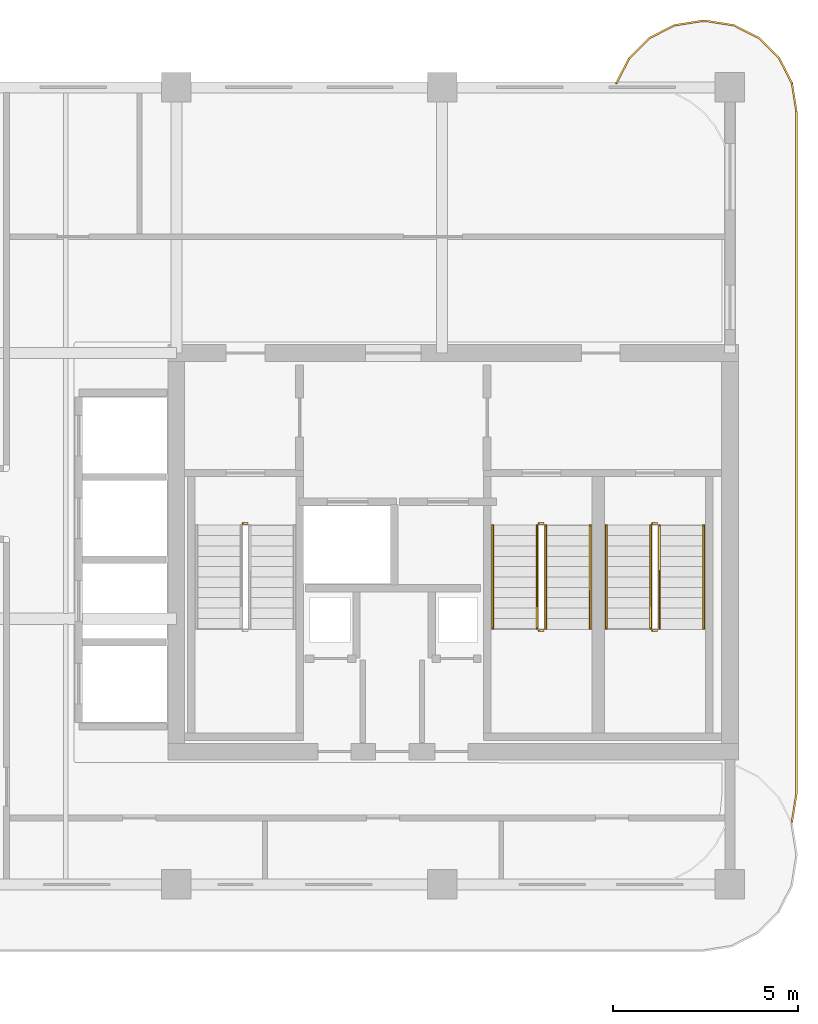
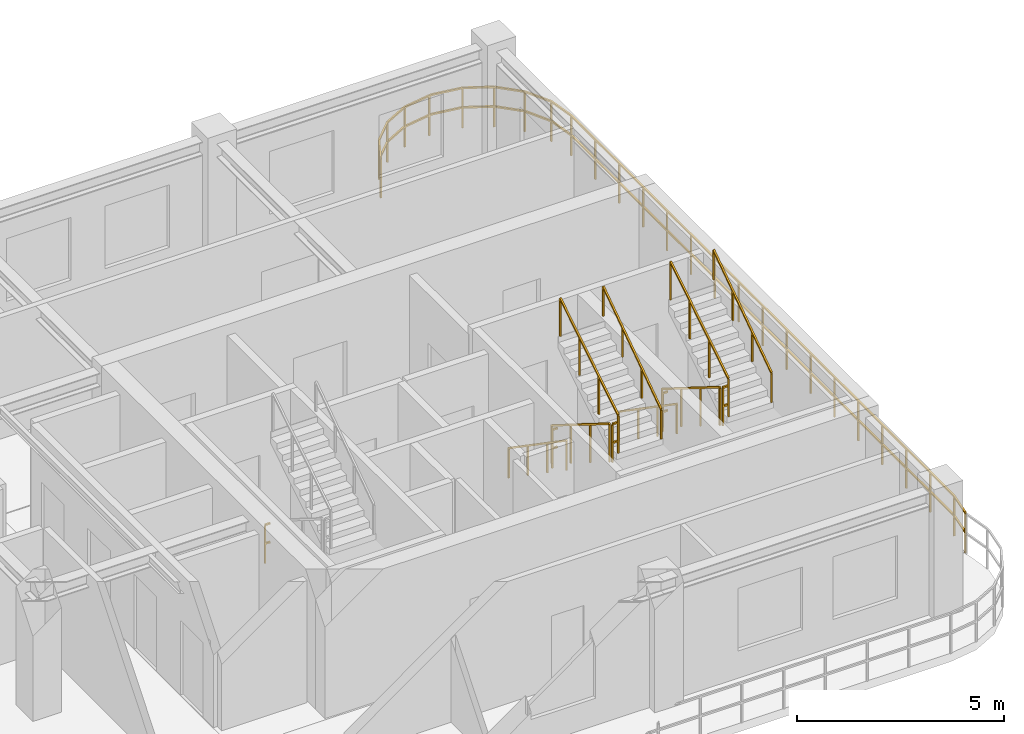
# One storey, part 7 of 7: 14 railings.
"""IFC4 building model written with IfcOpenShell, lengths in metres."""

from ifc_helpers import new_model, si_unit, derived_unit, direction, frame, origin, origin_2d, place, context, subcontext, project, spatial, rectangle, extrude, material, type_object, element, save


model = new_model("IFC4")

# Units and contexts
model_context = context("Model", 3, precision=1e-05, world=origin(), true_north=direction((0.0, 1.0)))
body_context = subcontext(model_context, "Body", "Model", "MODEL_VIEW")
ifc_project = project(units=[si_unit("LENGTHUNIT", "METRE"), si_unit("AREAUNIT", "SQUARE_METRE"), si_unit("VOLUMEUNIT", "CUBIC_METRE"), si_unit("PLANEANGLEUNIT", "RADIAN"), si_unit("MASSUNIT", "GRAM", prefix="KILO"), si_unit("THERMODYNAMICTEMPERATUREUNIT", "KELVIN"), si_unit("POWERUNIT", "WATT"), derived_unit("THERMALTRANSMITTANCEUNIT", [(si_unit("POWERUNIT", "WATT"), 1), (si_unit("AREAUNIT", "SQUARE_METRE"), -1), (si_unit("THERMODYNAMICTEMPERATUREUNIT", "KELVIN"), -1)])], contexts=[model_context])

# Site, building, storey
site_placement = place(None, origin())
site = spatial("IfcSite", under=ifc_project, at=site_placement, CompositionType="ELEMENT")
building_placement = place(site_placement, origin())
building = spatial("IfcBuilding", under=site, at=building_placement, Name="Zahravan Archway Hotel and Residences", CompositionType="ELEMENT")
storey_placement = place(building_placement, frame((0.0, 0.0, 267.35009765625)))
storey = spatial("IfcBuildingStorey", under=building, at=storey_placement, Name="L67", CompositionType="ELEMENT", Elevation=267.35009765625)

# Railings
ifc_material_1 = material(Name="Bronze & Laminated Glass Balustrade", Category="glass")
railing_type_1 = type_object("IfcRailingType", Name="RL-BAL-1200", PredefinedType="BALUSTRADE", material=ifc_material_1)
railing_1_placement = place(storey_placement, frame((46.719970703125, 21.70703125, 0.0)))
element("IfcRailing", 1, at=railing_1_placement, inside=storey, type_object=railing_type_1, Name="L67 Balustrade RL-SLB-BAL-L67-EA-1", PredefinedType="BALUSTRADE", context=body_context, shape_type="SweptSolid", body=[
    extrude(rectangle(XDim=0.048095703125, YDim=0.048095703125, at=origin_2d()), frame((0.0, 0.0, 1.17578125), z_axis=(0.453825591531, 0.891090529897, 0.0), x_axis=(-0.891090529897, 0.453825591531, 0.0)), (0.0, 0.0, 1.0), 0.7666015625),
    extrude(rectangle(XDim=0.048095703125, YDim=0.048095703125, at=origin_2d()), frame((0.0, 0.0, 0.60009765625), z_axis=(0.453825591531, 0.891090529897, 0.0), x_axis=(-0.891090529897, 0.453825591531, 0.0)), (0.0, 0.0, 1.0), 0.7666015625),
    extrude(rectangle(XDim=0.048095703125, YDim=0.048095703125, at=origin_2d()), frame((0.347900390625, 0.68310546875, 1.17578125), z_axis=(0.707106781187, 0.707106781187, 0.0), x_axis=(-0.707106781187, 0.707106781187, 0.0)), (0.0, 0.0, 1.0), 0.7666015625),
    extrude(rectangle(XDim=0.048095703125, YDim=0.048095703125, at=origin_2d()), frame((0.347900390625, 0.68310546875, 0.60009765625), z_axis=(0.707106781187, 0.707106781187, 0.0), x_axis=(-0.707106781187, 0.707106781187, 0.0)), (0.0, 0.0, 1.0), 0.7666015625),
    extrude(rectangle(XDim=0.048095703125, YDim=0.048095703125, at=origin_2d()), frame((0.889892578125, 1.22509765625, 1.17578125), z_axis=(0.891090529897, 0.453825591531, 0.0), x_axis=(-0.453825591531, 0.891090529897, 0.0)), (0.0, 0.0, 1.0), 0.7666015625),
    extrude(rectangle(XDim=0.048095703125, YDim=0.048095703125, at=origin_2d()), frame((0.889892578125, 1.22509765625, 0.60009765625), z_axis=(0.891090529897, 0.453825591531, 0.0), x_axis=(-0.453825591531, 0.891090529897, 0.0)), (0.0, 0.0, 1.0), 0.7666015625),
    extrude(rectangle(XDim=0.048095703125, YDim=0.048095703125, at=origin_2d()), frame((1.572998046875, 1.572998046875, 1.17578125), z_axis=(0.987695728695, 0.156387811283, 0.0), x_axis=(-0.156387811283, 0.987695728695, 0.0)), (0.0, 0.0, 1.0), 0.7666015625),
    extrude(rectangle(XDim=0.048095703125, YDim=0.048095703125, at=origin_2d()), frame((1.572998046875, 1.572998046875, 0.60009765625), z_axis=(0.987695728695, 0.156387811283, 0.0), x_axis=(-0.156387811283, 0.987695728695, 0.0)), (0.0, 0.0, 1.0), 0.7666015625),
    extrude(rectangle(XDim=0.048095703125, YDim=0.048095703125, at=origin_2d()), frame((2.330078125, 1.69287109375, 1.17578125), z_axis=(1.0, 0.0, 0.0), x_axis=(0.0, 1.0, 0.0)), (0.0, 0.0, 1.0), 0.099853515625),
    extrude(rectangle(XDim=0.048095703125, YDim=0.048095703125, at=origin_2d()), frame((2.330078125, 1.69287109375, 0.60009765625), z_axis=(1.0, 0.0, 0.0), x_axis=(0.0, 1.0, 0.0)), (0.0, 0.0, 1.0), 0.099853515625),
    extrude(rectangle(XDim=0.048095703125, YDim=0.048095703125, at=origin_2d()), frame((2.429931640625, 1.69287109375, 1.17578125), z_axis=(0.987695728695, -0.156387811283, 0.0), x_axis=(0.156387811283, 0.987695728695, 0.0)), (0.0, 0.0, 1.0), 0.7666015625),
    extrude(rectangle(XDim=0.048095703125, YDim=0.048095703125, at=origin_2d()), frame((2.429931640625, 1.69287109375, 0.60009765625), z_axis=(0.987695728695, -0.156387811283, 0.0), x_axis=(0.156387811283, 0.987695728695, 0.0)), (0.0, 0.0, 1.0), 0.7666015625),
    extrude(rectangle(XDim=0.048095703125, YDim=0.048095703125, at=origin_2d()), frame((3.18701171875, 1.572998046875, 1.17578125), z_axis=(0.891090529897, -0.453825591531, 0.0), x_axis=(0.453825591531, 0.891090529897, 0.0)), (0.0, 0.0, 1.0), 0.7666015625),
    extrude(rectangle(XDim=0.048095703125, YDim=0.048095703125, at=origin_2d()), frame((3.18701171875, 1.572998046875, 0.60009765625), z_axis=(0.891090529897, -0.453825591531, 0.0), x_axis=(0.453825591531, 0.891090529897, 0.0)), (0.0, 0.0, 1.0), 0.7666015625),
    extrude(rectangle(XDim=0.048095703125, YDim=0.048095703125, at=origin_2d()), frame((3.8701171875, 1.22509765625, 1.17578125), z_axis=(0.707106781187, -0.707106781187, 0.0), x_axis=(0.707106781187, 0.707106781187, 0.0)), (0.0, 0.0, 1.0), 0.7666015625),
    extrude(rectangle(XDim=0.048095703125, YDim=0.048095703125, at=origin_2d()), frame((3.8701171875, 1.22509765625, 0.60009765625), z_axis=(0.707106781187, -0.707106781187, 0.0), x_axis=(0.707106781187, 0.707106781187, 0.0)), (0.0, 0.0, 1.0), 0.7666015625),
    extrude(rectangle(XDim=0.048095703125, YDim=0.048095703125, at=origin_2d()), frame((4.412109375, 0.68310546875, 1.17578125), z_axis=(0.453825591531, -0.891090529897, 0.0), x_axis=(0.891090529897, 0.453825591531, 0.0)), (0.0, 0.0, 1.0), 0.7666015625),
    extrude(rectangle(XDim=0.048095703125, YDim=0.048095703125, at=origin_2d()), frame((4.412109375, 0.68310546875, 0.60009765625), z_axis=(0.453825591531, -0.891090529897, 0.0), x_axis=(0.891090529897, 0.453825591531, 0.0)), (0.0, 0.0, 1.0), 0.7666015625),
    extrude(rectangle(XDim=0.048095703125, YDim=0.048095703125, at=origin_2d()), frame((4.760009765625, 0.0, 1.17578125), z_axis=(0.156698507018, -0.987646484274, 0.0), x_axis=(0.987646484274, 0.156698507018, 0.0)), (0.0, 0.0, 1.0), 0.7666015625),
    extrude(rectangle(XDim=0.048095703125, YDim=0.048095703125, at=origin_2d()), frame((4.760009765625, 0.0, 0.60009765625), z_axis=(0.156698507018, -0.987646484274, 0.0), x_axis=(0.987646484274, 0.156698507018, 0.0)), (0.0, 0.0, 1.0), 0.7666015625),
    extrude(rectangle(XDim=0.048095703125, YDim=0.048095703125, at=origin_2d()), frame((4.880126953125, -0.757080078125, 1.17578125), z_axis=(0.0, -1.0, 0.0), x_axis=(1.0, 0.0, 0.0)), (0.0, 0.0, 1.0), 18.5),
    extrude(rectangle(XDim=0.048095703125, YDim=0.048095703125, at=origin_2d()), frame((4.880126953125, -0.757080078125, 0.60009765625), z_axis=(0.0, -1.0, 0.0), x_axis=(1.0, 0.0, 0.0)), (0.0, 0.0, 1.0), 18.5),
    extrude(rectangle(XDim=0.048095703125, YDim=0.048095703125, at=origin_2d()), frame((4.880126953125, -19.257080078125, 1.17578125), z_axis=(-0.156698507018, -0.987646484274, 0.0), x_axis=(0.987646484274, -0.156698507018, 0.0)), (0.0, 0.0, 1.0), 0.7666015625),
    extrude(rectangle(XDim=0.048095703125, YDim=0.048095703125, at=origin_2d()), frame((4.880126953125, -19.257080078125, 0.60009765625), z_axis=(-0.156698507018, -0.987646484274, 0.0), x_axis=(0.987646484274, -0.156698507018, 0.0)), (0.0, 0.0, 1.0), 0.7666015625),
    extrude(rectangle(XDim=0.0419921875, YDim=0.0419921875, at=origin_2d()), origin(), (0.0, 0.0, 1.0), 1.15185546875),
    extrude(rectangle(XDim=0.0419921875, YDim=0.0419921875, at=origin_2d()), frame((0.347900390625, 0.68310546875, 0.0)), (0.0, 0.0, 1.0), 1.15185546875),
    extrude(rectangle(XDim=0.0419921875, YDim=0.0419921875, at=origin_2d()), frame((0.889892578125, 1.22509765625, 0.0)), (0.0, 0.0, 1.0), 1.15185546875),
    extrude(rectangle(XDim=0.0419921875, YDim=0.0419921875, at=origin_2d()), frame((1.572998046875, 1.572998046875, 0.0)), (0.0, 0.0, 1.0), 1.15185546875),
    extrude(rectangle(XDim=0.0419921875, YDim=0.0419921875, at=origin_2d()), frame((2.330078125, 1.69287109375, 0.0)), (0.0, 0.0, 1.0), 1.15185546875),
    extrude(rectangle(XDim=0.0419921875, YDim=0.0419921875, at=origin_2d()), frame((3.18701171875, 1.572998046875, 0.0)), (0.0, 0.0, 1.0), 1.15185546875),
    extrude(rectangle(XDim=0.0419921875, YDim=0.0419921875, at=origin_2d()), frame((3.8701171875, 1.22509765625, 0.0)), (0.0, 0.0, 1.0), 1.15185546875),
    extrude(rectangle(XDim=0.0419921875, YDim=0.0419921875, at=origin_2d()), frame((4.412109375, 0.68310546875, 0.0)), (0.0, 0.0, 1.0), 1.15185546875),
    extrude(rectangle(XDim=0.0419921875, YDim=0.0419921875, at=origin_2d()), frame((4.760009765625, 0.0, 0.0)), (0.0, 0.0, 1.0), 1.15185546875),
    extrude(rectangle(XDim=0.0419921875, YDim=0.0419921875, at=origin_2d()), frame((4.880126953125, -0.757080078125, 0.0)), (0.0, 0.0, 1.0), 1.15185546875),
    extrude(rectangle(XDim=0.0419921875, YDim=0.0419921875, at=origin_2d()), frame((4.880126953125, -1.913330078125, 0.0)), (0.0, 0.0, 1.0), 1.15185546875),
    extrude(rectangle(XDim=0.0419921875, YDim=0.0419921875, at=origin_2d()), frame((4.880126953125, -3.069580078125, 0.0)), (0.0, 0.0, 1.0), 1.15185546875),
    extrude(rectangle(XDim=0.0419921875, YDim=0.0419921875, at=origin_2d()), frame((4.880126953125, -4.225830078125, 0.0)), (0.0, 0.0, 1.0), 1.15185546875),
    extrude(rectangle(XDim=0.0419921875, YDim=0.0419921875, at=origin_2d()), frame((4.880126953125, -5.382080078125, 0.0)), (0.0, 0.0, 1.0), 1.15185546875),
    extrude(rectangle(XDim=0.0419921875, YDim=0.0419921875, at=origin_2d()), frame((4.880126953125, -6.538330078125, 0.0)), (0.0, 0.0, 1.0), 1.15185546875),
    extrude(rectangle(XDim=0.0419921875, YDim=0.0419921875, at=origin_2d()), frame((4.880126953125, -7.694580078125, 0.0)), (0.0, 0.0, 1.0), 1.15185546875),
    extrude(rectangle(XDim=0.0419921875, YDim=0.0419921875, at=origin_2d()), frame((4.880126953125, -8.850830078125, 0.0)), (0.0, 0.0, 1.0), 1.15185546875),
    extrude(rectangle(XDim=0.0419921875, YDim=0.0419921875, at=origin_2d()), frame((4.880126953125, -10.007080078125, 0.0)), (0.0, 0.0, 1.0), 1.15185546875),
    extrude(rectangle(XDim=0.0419921875, YDim=0.0419921875, at=origin_2d()), frame((4.880126953125, -11.163330078125, 0.0)), (0.0, 0.0, 1.0), 1.15185546875),
    extrude(rectangle(XDim=0.0419921875, YDim=0.0419921875, at=origin_2d()), frame((4.880126953125, -12.319580078125, 0.0)), (0.0, 0.0, 1.0), 1.15185546875),
    extrude(rectangle(XDim=0.0419921875, YDim=0.0419921875, at=origin_2d()), frame((4.880126953125, -13.475830078125, 0.0)), (0.0, 0.0, 1.0), 1.15185546875),
    extrude(rectangle(XDim=0.0419921875, YDim=0.0419921875, at=origin_2d()), frame((4.880126953125, -14.632080078125, 0.0)), (0.0, 0.0, 1.0), 1.15185546875),
    extrude(rectangle(XDim=0.0419921875, YDim=0.0419921875, at=origin_2d()), frame((4.880126953125, -15.788330078125, 0.0)), (0.0, 0.0, 1.0), 1.15185546875),
    extrude(rectangle(XDim=0.0419921875, YDim=0.0419921875, at=origin_2d()), frame((4.880126953125, -16.944580078125, 0.0)), (0.0, 0.0, 1.0), 1.15185546875),
    extrude(rectangle(XDim=0.0419921875, YDim=0.0419921875, at=origin_2d()), frame((4.880126953125, -18.100830078125, 0.0)), (0.0, 0.0, 1.0), 1.15185546875),
    extrude(rectangle(XDim=0.0419921875, YDim=0.0419921875, at=origin_2d()), frame((4.880126953125, -19.257080078125, 0.0)), (0.0, 0.0, 1.0), 1.15185546875),
    extrude(rectangle(XDim=0.0419921875, YDim=0.0419921875, at=origin_2d()), frame((4.760009765625, -20.01416015625, 0.0)), (0.0, 0.0, 1.0), 1.15185546875),
])
ifc_material_2 = material(Name="Painted Tubular Steel", Category="steel")
railing_type_2 = type_object("IfcRailingType", Name="RL-STG-1150", PredefinedType="GUARDRAIL", material=ifc_material_2)
railing_2_placement = place(storey_placement, frame((36.60009765625, 9.780029296875, 0.0)))
element("IfcRailing", 2, at=railing_2_placement, inside=storey, type_object=railing_type_2, Name="L67 ST-A1 stair guard 4", PredefinedType="GUARDRAIL", context=body_context, shape_type="SweptSolid", body=[
    extrude(rectangle(XDim=0.048095703125, YDim=0.048095703125, at=origin_2d()), frame((0.0, 0.0, 1.1259765625), z_axis=(1.0, 0.0, 0.0), x_axis=(0.0, 1.0, 0.0)), (0.0, 0.0, 1.0), 0.139892578125),
    extrude(rectangle(XDim=0.048095703125, YDim=0.048095703125, at=origin_2d()), frame((0.0, 0.0, 0.574951171875), z_axis=(1.0, 0.0, 0.0), x_axis=(0.0, 1.0, 0.0)), (0.0, 0.0, 1.0), 0.139892578125),
    extrude(rectangle(XDim=0.0419921875, YDim=0.0419921875, at=origin_2d()), origin(), (0.0, 0.0, 1.0), 1.101806640625),
])
railing_3_placement = place(storey_placement, frame((44.570068359375, 9.72998046875, 0.1748046875)))
element("IfcRailing", 3, at=railing_3_placement, inside=storey, type_object=railing_type_2, Name="L67 ST-A2 stair guard 1", PredefinedType="GUARDRAIL", context=body_context, shape_type="SweptSolid", body=[
    extrude(rectangle(XDim=0.048095703125, YDim=0.048095703125, at=origin_2d()), frame((0.0, 0.0, 1.1259765625), z_axis=(0.0, -0.848002457836, 0.529992293815), x_axis=(1.0, 0.0, 0.0)), (0.0, 0.0, 1.0), 3.302001953125),
    extrude(rectangle(XDim=0.0419921875, YDim=0.0419921875, at=origin_2d()), origin(), (0.0, 0.0, 1.0), 1.101806640625),
    extrude(rectangle(XDim=0.0419921875, YDim=0.0419921875, at=origin_2d()), frame((0.0, -0.933349609375, 0.583251953125)), (0.0, 0.0, 1.0), 1.101806640625),
    extrude(rectangle(XDim=0.0419921875, YDim=0.0419921875, at=origin_2d()), frame((0.0, -1.86669921875, 1.166748046875)), (0.0, 0.0, 1.0), 1.101806640625),
    extrude(rectangle(XDim=0.0419921875, YDim=0.0419921875, at=origin_2d()), frame((0.0, -2.800048828125, 1.75)), (0.0, 0.0, 1.0), 1.101806640625),
])
railing_4_placement = place(storey_placement, frame((44.6201171875, 6.8798828125, 1.9248046875)))
element("IfcRailing", 4, at=railing_4_placement, inside=storey, type_object=railing_type_2, Name="L67 ST-A2 stair guard 2", PredefinedType="GUARDRAIL", context=body_context, shape_type="SweptSolid", body=[
    extrude(rectangle(XDim=0.048095703125, YDim=0.048095703125, at=origin_2d()), frame((0.0, 0.0, 1.1259765625), z_axis=(1.0, 0.0, 0.0), x_axis=(0.0, 1.0, 0.0)), (0.0, 0.0, 1.0), 0.139892578125),
    extrude(rectangle(XDim=0.048095703125, YDim=0.048095703125, at=origin_2d()), frame((0.0, 0.0, 0.574951171875), z_axis=(1.0, 0.0, 0.0), x_axis=(0.0, 1.0, 0.0)), (0.0, 0.0, 1.0), 0.139892578125),
    extrude(rectangle(XDim=0.0419921875, YDim=0.0419921875, at=origin_2d()), origin(), (0.0, 0.0, 1.0), 1.101806640625),
])
railing_5_placement = place(storey_placement, frame((44.81005859375, 6.929931640625, 2.099853515625)))
element("IfcRailing", 5, at=railing_5_placement, inside=storey, type_object=railing_type_2, Name="L67 ST-A2 stair guard 3", PredefinedType="GUARDRAIL", context=body_context, shape_type="SweptSolid", body=[
    extrude(rectangle(XDim=0.048095703125, YDim=0.048095703125, at=origin_2d()), frame((0.0, 0.0, 1.1259765625), z_axis=(0.0, 0.848002457836, 0.529992293815), x_axis=(-1.0, 0.0, 0.0)), (0.0, 0.0, 1.0), 3.302001953125),
    extrude(rectangle(XDim=0.0419921875, YDim=0.0419921875, at=origin_2d()), origin(), (0.0, 0.0, 1.0), 1.101806640625),
    extrude(rectangle(XDim=0.0419921875, YDim=0.0419921875, at=origin_2d()), frame((0.0, 0.933349609375, 0.583251953125)), (0.0, 0.0, 1.0), 1.101806640625),
    extrude(rectangle(XDim=0.0419921875, YDim=0.0419921875, at=origin_2d()), frame((0.0, 1.86669921875, 1.166748046875)), (0.0, 0.0, 1.0), 1.101806640625),
    extrude(rectangle(XDim=0.0419921875, YDim=0.0419921875, at=origin_2d()), frame((0.0, 2.800048828125, 1.75)), (0.0, 0.0, 1.0), 1.101806640625),
])
railing_6_placement = place(storey_placement, frame((44.6201171875, 9.780029296875, 0.0)))
element("IfcRailing", 6, at=railing_6_placement, inside=storey, type_object=railing_type_2, Name="L67 ST-A2 stair guard 4", PredefinedType="GUARDRAIL", context=body_context, shape_type="SweptSolid", body=[
    extrude(rectangle(XDim=0.048095703125, YDim=0.048095703125, at=origin_2d()), frame((0.0, 0.0, 1.1259765625), z_axis=(1.0, 0.0, 0.0), x_axis=(0.0, 1.0, 0.0)), (0.0, 0.0, 1.0), 0.139892578125),
    extrude(rectangle(XDim=0.048095703125, YDim=0.048095703125, at=origin_2d()), frame((0.0, 0.0, 0.574951171875), z_axis=(1.0, 0.0, 0.0), x_axis=(0.0, 1.0, 0.0)), (0.0, 0.0, 1.0), 0.139892578125),
    extrude(rectangle(XDim=0.0419921875, YDim=0.0419921875, at=origin_2d()), origin(), (0.0, 0.0, 1.0), 1.101806640625),
])
railing_7_placement = place(storey_placement, frame((47.64990234375, 9.72998046875, 0.1748046875)))
element("IfcRailing", 7, at=railing_7_placement, inside=storey, type_object=railing_type_2, Name="L67 ST-A3 stair guard 1", PredefinedType="GUARDRAIL", context=body_context, shape_type="SweptSolid", body=[
    extrude(rectangle(XDim=0.048095703125, YDim=0.048095703125, at=origin_2d()), frame((0.0, 0.0, 1.1259765625), z_axis=(0.0, -0.848002457836, 0.529992293815), x_axis=(1.0, 0.0, 0.0)), (0.0, 0.0, 1.0), 3.302001953125),
    extrude(rectangle(XDim=0.0419921875, YDim=0.0419921875, at=origin_2d()), origin(), (0.0, 0.0, 1.0), 1.101806640625),
    extrude(rectangle(XDim=0.0419921875, YDim=0.0419921875, at=origin_2d()), frame((0.0, -0.933349609375, 0.583251953125)), (0.0, 0.0, 1.0), 1.101806640625),
    extrude(rectangle(XDim=0.0419921875, YDim=0.0419921875, at=origin_2d()), frame((0.0, -1.86669921875, 1.166748046875)), (0.0, 0.0, 1.0), 1.101806640625),
    extrude(rectangle(XDim=0.0419921875, YDim=0.0419921875, at=origin_2d()), frame((0.0, -2.800048828125, 1.75)), (0.0, 0.0, 1.0), 1.101806640625),
])
railing_8_placement = place(storey_placement, frame((47.699951171875, 6.8798828125, 1.9248046875)))
element("IfcRailing", 8, at=railing_8_placement, inside=storey, type_object=railing_type_2, Name="L67 ST-A3 stair guard 2", PredefinedType="GUARDRAIL", context=body_context, shape_type="SweptSolid", body=[
    extrude(rectangle(XDim=0.048095703125, YDim=0.048095703125, at=origin_2d()), frame((0.0, 0.0, 1.1259765625), z_axis=(1.0, 0.0, 0.0), x_axis=(0.0, 1.0, 0.0)), (0.0, 0.0, 1.0), 0.14013671875),
    extrude(rectangle(XDim=0.048095703125, YDim=0.048095703125, at=origin_2d()), frame((0.0, 0.0, 0.574951171875), z_axis=(1.0, 0.0, 0.0), x_axis=(0.0, 1.0, 0.0)), (0.0, 0.0, 1.0), 0.14013671875),
    extrude(rectangle(XDim=0.0419921875, YDim=0.0419921875, at=origin_2d()), origin(), (0.0, 0.0, 1.0), 1.101806640625),
])
railing_9_placement = place(storey_placement, frame((47.889892578125, 6.929931640625, 2.099853515625)))
element("IfcRailing", 9, at=railing_9_placement, inside=storey, type_object=railing_type_2, Name="L67 ST-A3 stair guard 3", PredefinedType="GUARDRAIL", context=body_context, shape_type="SweptSolid", body=[
    extrude(rectangle(XDim=0.048095703125, YDim=0.048095703125, at=origin_2d()), frame((0.0, 0.0, 1.1259765625), z_axis=(0.0, 0.848002457836, 0.529992293815), x_axis=(-1.0, 0.0, 0.0)), (0.0, 0.0, 1.0), 3.302001953125),
    extrude(rectangle(XDim=0.0419921875, YDim=0.0419921875, at=origin_2d()), origin(), (0.0, 0.0, 1.0), 1.101806640625),
    extrude(rectangle(XDim=0.0419921875, YDim=0.0419921875, at=origin_2d()), frame((0.0, 0.933349609375, 0.583251953125)), (0.0, 0.0, 1.0), 1.101806640625),
    extrude(rectangle(XDim=0.0419921875, YDim=0.0419921875, at=origin_2d()), frame((0.0, 1.86669921875, 1.166748046875)), (0.0, 0.0, 1.0), 1.101806640625),
    extrude(rectangle(XDim=0.0419921875, YDim=0.0419921875, at=origin_2d()), frame((0.0, 2.800048828125, 1.75)), (0.0, 0.0, 1.0), 1.101806640625),
])
railing_10_placement = place(storey_placement, frame((47.699951171875, 9.780029296875, 0.0)))
element("IfcRailing", 10, at=railing_10_placement, inside=storey, type_object=railing_type_2, Name="L67 ST-A3 stair guard 4", PredefinedType="GUARDRAIL", context=body_context, shape_type="SweptSolid", body=[
    extrude(rectangle(XDim=0.048095703125, YDim=0.048095703125, at=origin_2d()), frame((0.0, 0.0, 1.1259765625), z_axis=(1.0, 0.0, 0.0), x_axis=(0.0, 1.0, 0.0)), (0.0, 0.0, 1.0), 0.14013671875),
    extrude(rectangle(XDim=0.048095703125, YDim=0.048095703125, at=origin_2d()), frame((0.0, 0.0, 0.574951171875), z_axis=(1.0, 0.0, 0.0), x_axis=(0.0, 1.0, 0.0)), (0.0, 0.0, 1.0), 0.14013671875),
    extrude(rectangle(XDim=0.0419921875, YDim=0.0419921875, at=origin_2d()), origin(), (0.0, 0.0, 1.0), 1.101806640625),
])
ifc_material_3 = material(Name="Brushed Stainless Steel", Category="steel")
railing_type_3 = type_object("IfcRailingType", Name="RL-STH-900", PredefinedType="HANDRAIL", material=ifc_material_3)
railing_11_placement = place(storey_placement, frame((43.3701171875, 9.72998046875, 0.1748046875)))
element("IfcRailing", 11, at=railing_11_placement, inside=storey, type_object=railing_type_3, Name="L67 ST-A2 stair handrail 1", PredefinedType="HANDRAIL", context=body_context, shape_type="SweptSolid", body=[
    extrude(rectangle(XDim=0.048095703125, YDim=0.048095703125, at=origin_2d()), frame((0.0, 0.0, 0.8759765625), z_axis=(0.0, -0.824039827795, 0.566531872191), x_axis=(1.0, 0.0, 0.0)), (0.0, 0.0, 1.0), 3.39794921875),
    extrude(rectangle(XDim=0.0419921875, YDim=0.0419921875, at=origin_2d()), origin(), (0.0, 0.0, 1.0), 0.851806640625),
    extrude(rectangle(XDim=0.0419921875, YDim=0.0419921875, at=origin_2d()), frame((0.0, -0.933349609375, 0.6416015625)), (0.0, 0.0, 1.0), 0.851806640625),
    extrude(rectangle(XDim=0.0419921875, YDim=0.0419921875, at=origin_2d()), frame((0.0, -1.86669921875, 1.283447265625)), (0.0, 0.0, 1.0), 0.851806640625),
    extrude(rectangle(XDim=0.0419921875, YDim=0.0419921875, at=origin_2d()), frame((0.0, -2.800048828125, 1.925048828125)), (0.0, 0.0, 1.0), 0.851806640625),
])
railing_12_placement = place(storey_placement, frame((46.010009765625, 6.929931640625, 2.099853515625)))
element("IfcRailing", 12, at=railing_12_placement, inside=storey, type_object=railing_type_3, Name="L67 ST-A2 stair handrail 2", PredefinedType="HANDRAIL", context=body_context, shape_type="SweptSolid", body=[
    extrude(rectangle(XDim=0.048095703125, YDim=0.048095703125, at=origin_2d()), frame((0.0, 0.0, 0.8759765625), z_axis=(0.0, 0.824039827795, 0.566531872191), x_axis=(-1.0, 0.0, 0.0)), (0.0, 0.0, 1.0), 3.39794921875),
    extrude(rectangle(XDim=0.0419921875, YDim=0.0419921875, at=origin_2d()), origin(), (0.0, 0.0, 1.0), 0.851806640625),
    extrude(rectangle(XDim=0.0419921875, YDim=0.0419921875, at=origin_2d()), frame((0.0, 0.933349609375, 0.6416015625)), (0.0, 0.0, 1.0), 0.851806640625),
    extrude(rectangle(XDim=0.0419921875, YDim=0.0419921875, at=origin_2d()), frame((0.0, 1.86669921875, 1.283447265625)), (0.0, 0.0, 1.0), 0.851806640625),
    extrude(rectangle(XDim=0.0419921875, YDim=0.0419921875, at=origin_2d()), frame((0.0, 2.800048828125, 1.925048828125)), (0.0, 0.0, 1.0), 0.851806640625),
])
railing_13_placement = place(storey_placement, frame((46.449951171875, 9.72998046875, 0.1748046875)))
element("IfcRailing", 13, at=railing_13_placement, inside=storey, type_object=railing_type_3, Name="L67 ST-A3 stair handrail 1", PredefinedType="HANDRAIL", context=body_context, shape_type="SweptSolid", body=[
    extrude(rectangle(XDim=0.048095703125, YDim=0.048095703125, at=origin_2d()), frame((0.0, 0.0, 0.8759765625), z_axis=(0.0, -0.824039827795, 0.566531872191), x_axis=(1.0, 0.0, 0.0)), (0.0, 0.0, 1.0), 3.39794921875),
    extrude(rectangle(XDim=0.0419921875, YDim=0.0419921875, at=origin_2d()), origin(), (0.0, 0.0, 1.0), 0.851806640625),
    extrude(rectangle(XDim=0.0419921875, YDim=0.0419921875, at=origin_2d()), frame((0.0, -0.933349609375, 0.6416015625)), (0.0, 0.0, 1.0), 0.851806640625),
    extrude(rectangle(XDim=0.0419921875, YDim=0.0419921875, at=origin_2d()), frame((0.0, -1.86669921875, 1.283447265625)), (0.0, 0.0, 1.0), 0.851806640625),
    extrude(rectangle(XDim=0.0419921875, YDim=0.0419921875, at=origin_2d()), frame((0.0, -2.800048828125, 1.925048828125)), (0.0, 0.0, 1.0), 0.851806640625),
])
railing_14_placement = place(storey_placement, frame((49.090087890625, 6.929931640625, 2.099853515625)))
element("IfcRailing", 14, at=railing_14_placement, inside=storey, type_object=railing_type_3, Name="L67 ST-A3 stair handrail 2", PredefinedType="HANDRAIL", context=body_context, shape_type="SweptSolid", body=[
    extrude(rectangle(XDim=0.048095703125, YDim=0.048095703125, at=origin_2d()), frame((0.0, 0.0, 0.8759765625), z_axis=(0.0, 0.824039827795, 0.566531872191), x_axis=(-1.0, 0.0, 0.0)), (0.0, 0.0, 1.0), 3.39794921875),
    extrude(rectangle(XDim=0.0419921875, YDim=0.0419921875, at=origin_2d()), origin(), (0.0, 0.0, 1.0), 0.851806640625),
    extrude(rectangle(XDim=0.0419921875, YDim=0.0419921875, at=origin_2d()), frame((0.0, 0.933349609375, 0.6416015625)), (0.0, 0.0, 1.0), 0.851806640625),
    extrude(rectangle(XDim=0.0419921875, YDim=0.0419921875, at=origin_2d()), frame((0.0, 1.86669921875, 1.283447265625)), (0.0, 0.0, 1.0), 0.851806640625),
    extrude(rectangle(XDim=0.0419921875, YDim=0.0419921875, at=origin_2d()), frame((0.0, 2.800048828125, 1.925048828125)), (0.0, 0.0, 1.0), 0.851806640625),
])

save(model, "model.ifc")
